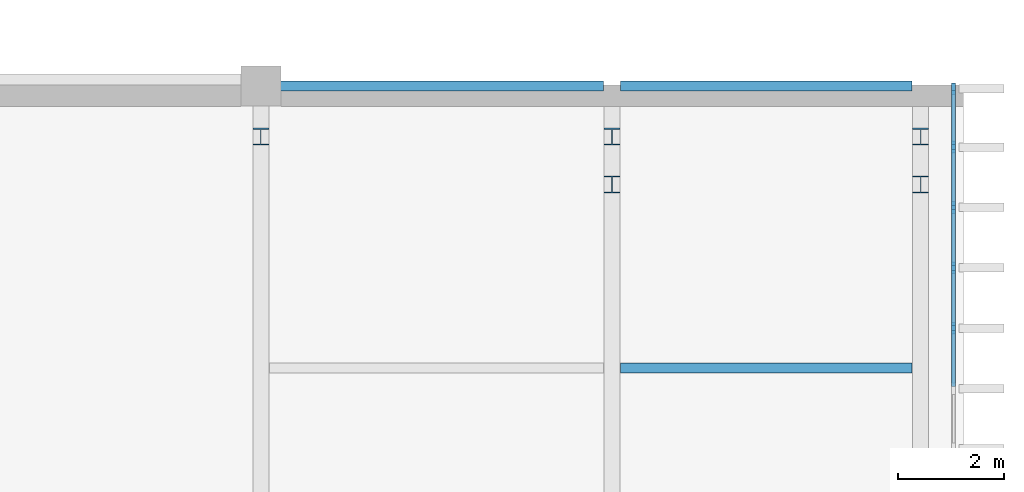
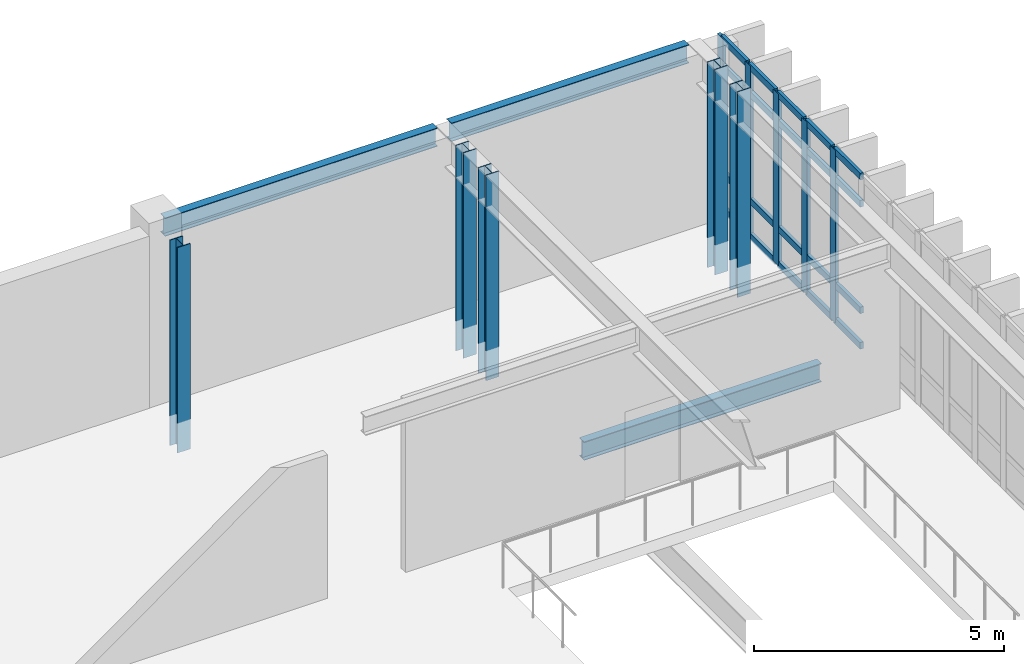
# One storey, part 8 of 23: 30 members, 3 beams, 1 element without a shape of its own.
"""IFC4 building model written with IfcOpenShell, lengths in metres."""

import ifcopenshell
import ifcopenshell.guid

model = None  # the IFC model being written
_history = None  # IfcOwnerHistory: only IFC2X3 demands one
_inside = {}  # id of a spatial element -> (the spatial element, [elements in it])
_under = {}  # id of a project, library or spatial element -> (it, [spatial elements below it])
_declared = {}  # id of a project -> (the project, [libraries it declares])
_typed = {}  # id of a type object -> (the type object, [elements of that type])
_made_of = {}  # id of a material, layer set ... -> (it, [elements and type objects made of it])


def new_model(schema):
    """Start an empty IFC model of exactly this schema.

    Asked for "IFC4X3", IfcOpenShell would pick the latest addendum, in which some entities
    have other attributes; the version numbers below select the first issue.
    IFC2X3 requires an IfcOwnerHistory on every rooted entity: one is made here for all.
    """
    global model, _history
    if schema == "IFC4X3":
        model = ifcopenshell.file(schema_version=(4, 3, 0, 0))
    else:
        model = ifcopenshell.file(schema=schema)
    _inside.clear()
    _under.clear()
    _declared.clear()
    _typed.clear()
    _made_of.clear()
    _history = None
    if model.schema == "IFC2X3":
        org = make("IfcOrganization", Name="unknown")
        user = make(
            "IfcPersonAndOrganization",
            ThePerson=make("IfcPerson", FamilyName="unknown"),
            TheOrganization=org,
        )
        app = make(
            "IfcApplication",
            ApplicationDeveloper=org,
            Version="unknown",
            ApplicationFullName="unknown",
            ApplicationIdentifier="unknown",
        )
        _history = make(
            "IfcOwnerHistory",
            OwningUser=user,
            OwningApplication=app,
            ChangeAction="ADDED",
            CreationDate=0,
        )
    return model


def make(cls, **values):
    """One entity of the class cls with the attributes given. An attribute that is None is left unset."""
    return model.create_entity(
        cls, **{name: value for name, value in values.items() if value is not None}
    )


def rooted(cls, **values):
    """An entity with a GlobalId (a new one), such as an element, a storey or a relation."""
    return make(cls, GlobalId=ifcopenshell.guid.new(), OwnerHistory=_history, **values)


def si_unit(unit_type, name, prefix=None):
    """IfcSIUnit, for example si_unit("LENGTHUNIT", "METRE", prefix="MILLI")."""
    return make("IfcSIUnit", UnitType=unit_type, Prefix=prefix, Name=name)


def assignment(units):
    """IfcUnitAssignment: the units of a project."""
    return None if units is None else make("IfcUnitAssignment", Units=units)


def point(xyz):
    """IfcCartesianPoint."""
    return None if xyz is None else make("IfcCartesianPoint", Coordinates=xyz)


def direction(xyz):
    """IfcDirection."""
    return None if xyz is None else make("IfcDirection", DirectionRatios=xyz)


def frame(location, z_axis=None, x_axis=None):
    """IfcAxis2Placement3D, a coordinate frame: its origin and axes. An axis left out is left unset."""
    return make(
        "IfcAxis2Placement3D",
        Location=point(location),
        Axis=direction(z_axis),
        RefDirection=direction(x_axis),
    )


def frame_2d(location, x_axis=None):
    """IfcAxis2Placement2D, a coordinate frame in the plane: its origin and x axis."""
    return make(
        "IfcAxis2Placement2D", Location=point(location), RefDirection=direction(x_axis)
    )


def origin():
    """The frame at (0, 0, 0) with its axes left unset."""
    return frame((0.0, 0.0, 0.0))


def origin_2d():
    """The frame at (0, 0) in the plane with its x axis left unset."""
    return frame_2d((0.0, 0.0))


def place(relative_to, where):
    """IfcLocalPlacement: puts the frame where relative to a parent placement (None: the world)."""
    return make(
        "IfcLocalPlacement", PlacementRelTo=relative_to, RelativePlacement=where
    )


def context(
    kind, dimensions, precision=None, world=None, true_north=None, identifier=None
):
    """IfcGeometricRepresentationContext, for example the 3D "Model" context."""
    return make(
        "IfcGeometricRepresentationContext",
        ContextIdentifier=identifier,
        ContextType=kind,
        CoordinateSpaceDimension=dimensions,
        Precision=precision,
        WorldCoordinateSystem=world,
        TrueNorth=true_north,
    )


def subcontext(parent, identifier, kind, view, scale=None):
    """IfcGeometricRepresentationSubContext, for example "Body" below "Model"."""
    return make(
        "IfcGeometricRepresentationSubContext",
        ContextIdentifier=identifier,
        ContextType=kind,
        ParentContext=parent,
        TargetScale=scale,
        TargetView=view,
    )


def project(units=None, contexts=None):
    """IfcProject with its units and contexts."""
    return rooted(
        "IfcProject",
        Name="project",
        RepresentationContexts=contexts,
        UnitsInContext=assignment(units),
    )


def spatial(cls, under=None, at=None, **own):
    """A site, building, storey or space (cls), placed at a placement, below another one or the project."""
    s = rooted(cls, ObjectPlacement=at, **own)
    if under is not None:
        _under.setdefault(under.id(), (under, []))[1].append(s)
    return s


def profile(cls, at=None, kind="AREA", **sizes):
    """A parametric profile (cls). Its sizes go by their IFC names, for example OverallWidth=200.0."""
    return make(cls, ProfileType=kind, Position=at, **sizes)


def rectangle(**sizes):
    """IfcRectangleProfileDef."""
    return profile("IfcRectangleProfileDef", **sizes)


def i_section(**sizes):
    """IfcIShapeProfileDef."""
    return profile("IfcIShapeProfileDef", **sizes)


def extrude(swept, where, along, depth):
    """IfcExtrudedAreaSolid: the profile swept, set in the frame where, extruded along a direction by depth."""
    return make(
        "IfcExtrudedAreaSolid",
        SweptArea=swept,
        Position=where,
        ExtrudedDirection=direction(along),
        Depth=depth,
    )


def shape(context_of_items, identifier, shape_type, items):
    """IfcShapeRepresentation: the items that make up one representation, for example the "Body"."""
    return make(
        "IfcShapeRepresentation",
        ContextOfItems=context_of_items,
        RepresentationIdentifier=identifier,
        RepresentationType=shape_type,
        Items=items,
    )


def material(Name=None, Category=None):
    """IfcMaterial."""
    return make("IfcMaterial", Name=Name, Category=Category)


def layer(
    of_material, thickness, ventilated=None, Name=None, Category=None, Priority=None
):
    """IfcMaterialLayer: one layer of a wall or slab, of a material (None: an air gap)."""
    return make(
        "IfcMaterialLayer",
        Material=of_material,
        LayerThickness=thickness,
        IsVentilated=ventilated,
        Name=Name,
        Category=Category,
        Priority=Priority,
    )


def layer_set(layers, Name=None):
    """IfcMaterialLayerSet."""
    return make("IfcMaterialLayerSet", MaterialLayers=layers, LayerSetName=Name)


def material_profile(
    of_material, cross_section, Name=None, Category=None, Priority=None
):
    """IfcMaterialProfile: a cross section and its material."""
    return make(
        "IfcMaterialProfile",
        Name=Name,
        Material=of_material,
        Profile=cross_section,
        Priority=Priority,
        Category=Category,
    )


def profile_set(profiles, Name=None, composite=None):
    """IfcMaterialProfileSet."""
    return make(
        "IfcMaterialProfileSet",
        Name=Name,
        MaterialProfiles=profiles,
        CompositeProfile=composite,
    )


def made_of(thing, what):
    """Note that an element or type object is made of a material, layer set ...; save() writes the relation."""
    if what is not None:
        _made_of.setdefault(what.id(), (what, []))[1].append(thing)
    return thing


def type_object(cls, material=None, **own):
    """A type object (cls), such as IfcWallType, which elements share."""
    return made_of(rooted(cls, **own), material)


def element(
    cls,
    number,
    at=None,
    inside=None,
    cuts=None,
    type_object=None,
    material=None,
    context=None,
    identifier="Body",
    shape_type=None,
    held_by="IfcProductDefinitionShape",
    body=None,
    shapes=None,
    **own,
):
    """One element of the class cls, such as IfcWall. Its Tag is "e" and its number.

    at: its placement. inside: the storey or other place that contains it. cuts: it is an
    opening in that element (IfcRelVoidsElement). A single representation is given by context,
    identifier, shape_type and body (its items); several are given by shapes. held_by: the class
    of the entity that holds the representations. save() writes the other relations.
    """
    e = rooted(cls, Tag="e%d" % number, ObjectPlacement=at, **own)
    if body is not None:
        shapes = [shape(context, identifier, shape_type, body)]
    if shapes is not None:
        e.Representation = make(held_by, Representations=shapes)
    if inside is not None:
        _inside.setdefault(inside.id(), (inside, []))[1].append(e)
    if cuts is not None:
        rooted(
            "IfcRelVoidsElement", RelatingBuildingElement=cuts, RelatedOpeningElement=e
        )
    if type_object is not None:
        _typed.setdefault(type_object.id(), (type_object, []))[1].append(e)
    return made_of(e, material)


def aggregate(whole, parts):
    """IfcRelAggregates: a whole, such as a stair, and the parts it consists of."""
    return rooted("IfcRelAggregates", RelatingObject=whole, RelatedObjects=parts)


def save(model, path):
    """Write the relations noted so far, then the file.

    IfcRelAggregates (storeys below a building ...), IfcRelContainedInSpatialStructure (elements
    in a storey), IfcRelDefinesByType, IfcRelAssociatesMaterial and IfcRelDeclares: one each for
    every whole, place, type object, material and project.
    """
    for whole, parts in _under.values():
        aggregate(whole, parts)
    for where, things in _inside.values():
        rooted(
            "IfcRelContainedInSpatialStructure",
            RelatedElements=things,
            RelatingStructure=where,
        )
    for kind, things in _typed.values():
        rooted("IfcRelDefinesByType", RelatedObjects=things, RelatingType=kind)
    for what, things in _made_of.values():
        rooted("IfcRelAssociatesMaterial", RelatedObjects=things, RelatingMaterial=what)
    for by, libraries in _declared.values():
        rooted("IfcRelDeclares", RelatingContext=by, RelatedDefinitions=libraries)
    model.write(path)


model = new_model("IFC4")

# Units and contexts
model_context = context("Model", 3, precision=1e-05, world=origin(), true_north=direction((0.0, 1.0)))
body_context = subcontext(model_context, "Body", "Model", "MODEL_VIEW")
ifc_project = project(units=[si_unit("LENGTHUNIT", "METRE"), si_unit("AREAUNIT", "SQUARE_METRE"), si_unit("VOLUMEUNIT", "CUBIC_METRE"), si_unit("PLANEANGLEUNIT", "RADIAN"), si_unit("MASSUNIT", "GRAM", prefix="KILO")], contexts=[model_context])

# Site, building, storey
site_placement = place(None, origin())
site = spatial("IfcSite", under=ifc_project, at=site_placement, CompositionType="ELEMENT")
building_placement = place(site_placement, origin())
building = spatial("IfcBuilding", under=site, at=building_placement, Name="Kelarvand Opera House", CompositionType="ELEMENT")
storey_placement = place(building_placement, frame((0.0, 0.0, 19.5)))
storey = spatial("IfcBuildingStorey", under=building, at=storey_placement, Name="L04", CompositionType="ELEMENT", Elevation=19.5)

# Curtain wall, members
ifc_material_1 = material(Name="Thermally broken aluminium and low-E glazing", Category="aluminium")
ifc_layer = layer(ifc_material_1, 0.219970703125, Name="Thermally broken aluminium and low-E glazing", Category="aluminium")
ifc_layer_set = layer_set([ifc_layer], Name="Thermally broken aluminium and low-E glazing")
curtain_wall_type = type_object("IfcCurtainWallType", Name="Unitised Low-E Curtain Wall 15886x4200 Mod 1150 CWF-07", PredefinedType="USERDEFINED", material=ifc_layer_set)
curtain_wall_placement = place(storey_placement, origin())
curtain_wall = element("IfcCurtainWall", 1, at=curtain_wall_placement, inside=storey, type_object=curtain_wall_type, Name="V1 L04 Curtain Wall CWF-07 (25)", ObjectType="UNITISED CURTAIN WALL", PredefinedType="USERDEFINED")
ifc_material_2 = material(Name="Thermally broken anodised aluminium", Category="aluminium")
ifc_material_profile_1 = material_profile(ifc_material_2, rectangle(XDim=0.074951171875, YDim=0.219970703125, at=origin_2d()), Name="ALU MULLION 75x220", Category="aluminium")
ifc_profile_set_1 = profile_set([ifc_material_profile_1], Name="Thermally broken anodised aluminium")
member_type_1 = type_object("IfcMemberType", Name="Curtain Wall Mullion 75x220 Heavy Plaza", PredefinedType="MULLION", material=ifc_profile_set_1)
member_1_placement = place(storey_placement, frame((154.820068359375, 78.3525390625, 0.0), z_axis=(0.0, 0.0, 1.0), x_axis=(1.0, 0.0, 0.0)))
member_1 = element("IfcMember", 2, at=member_1_placement, type_object=member_type_1, Name="CWF-07 mullion 1", PredefinedType="MULLION", context=body_context, shape_type="SweptSolid", body=[
    extrude(rectangle(XDim=0.074951171875, YDim=0.219970703125, at=origin_2d()), origin(), (0.0, 0.0, 1.0), 4.199951171875),
])
member_2_placement = place(storey_placement, frame((154.820068359375, 77.25537109375, 0.0), z_axis=(0.0, 0.0, 1.0), x_axis=(1.0, 0.0, 0.0)))
member_2 = element("IfcMember", 3, at=member_2_placement, type_object=member_type_1, Name="CWF-07 mullion 2", PredefinedType="MULLION", context=body_context, shape_type="SweptSolid", body=[
    extrude(rectangle(XDim=0.074951171875, YDim=0.219970703125, at=origin_2d()), origin(), (0.0, 0.0, 1.0), 4.199951171875),
])
member_3_placement = place(storey_placement, frame((154.820068359375, 76.12060546875, 0.0), z_axis=(0.0, 0.0, 1.0), x_axis=(1.0, 0.0, 0.0)))
member_3 = element("IfcMember", 4, at=member_3_placement, type_object=member_type_1, Name="CWF-07 mullion 3", PredefinedType="MULLION", context=body_context, shape_type="SweptSolid", body=[
    extrude(rectangle(XDim=0.074951171875, YDim=0.219970703125, at=origin_2d()), origin(), (0.0, 0.0, 1.0), 4.199951171875),
])
member_4_placement = place(storey_placement, frame((154.820068359375, 74.98583984375, 0.0), z_axis=(0.0, 0.0, 1.0), x_axis=(1.0, 0.0, 0.0)))
member_4 = element("IfcMember", 5, at=member_4_placement, type_object=member_type_1, Name="CWF-07 mullion 4", PredefinedType="MULLION", context=body_context, shape_type="SweptSolid", body=[
    extrude(rectangle(XDim=0.074951171875, YDim=0.219970703125, at=origin_2d()), origin(), (0.0, 0.0, 1.0), 4.199951171875),
])
member_5_placement = place(storey_placement, frame((154.820068359375, 73.85107421875, 0.0), z_axis=(0.0, 0.0, 1.0), x_axis=(1.0, 0.0, 0.0)))
member_5 = element("IfcMember", 6, at=member_5_placement, type_object=member_type_1, Name="CWF-07 mullion 5", PredefinedType="MULLION", context=body_context, shape_type="SweptSolid", body=[
    extrude(rectangle(XDim=0.074951171875, YDim=0.219970703125, at=origin_2d()), origin(), (0.0, 0.0, 1.0), 4.199951171875),
])
ifc_material_profile_2 = material_profile(ifc_material_2, rectangle(XDim=0.074951171875, YDim=0.159912109375, at=origin_2d()), Name="ALU TRANSOM 75x160", Category="aluminium")
ifc_profile_set_2 = profile_set([ifc_material_profile_2], Name="Thermally broken anodised aluminium")
member_type_2 = type_object("IfcMemberType", Name="Curtain Wall Transom 75x160 Heavy Plaza", PredefinedType="USERDEFINED", material=ifc_profile_set_2)
member_6_placement = place(storey_placement, frame((154.820068359375, 78.31494140625, 0.03759765625), z_axis=(0.0, -1.0, 0.0), x_axis=(1.0, 0.0, 0.0)))
member_6 = element("IfcMember", 7, at=member_6_placement, type_object=member_type_2, Name="CWF-07 transom 1.1", ObjectType="TRANSOM", PredefinedType="USERDEFINED", context=body_context, shape_type="SweptSolid", body=[
    extrude(rectangle(XDim=0.074951171875, YDim=0.159912109375, at=origin_2d()), origin(), (0.0, 0.0, 1.0), 1.022216796875),
])
member_7_placement = place(storey_placement, frame((154.820068359375, 78.31494140625, 0.89990234375), z_axis=(0.0, -1.0, 0.0), x_axis=(1.0, 0.0, 0.0)))
member_7 = element("IfcMember", 8, at=member_7_placement, type_object=member_type_2, Name="CWF-07 transom 1.2", ObjectType="TRANSOM", PredefinedType="USERDEFINED", context=body_context, shape_type="SweptSolid", body=[
    extrude(rectangle(XDim=0.074951171875, YDim=0.159912109375, at=origin_2d()), origin(), (0.0, 0.0, 1.0), 1.022216796875),
])
member_8_placement = place(storey_placement, frame((154.820068359375, 78.31494140625, 3.5), z_axis=(0.0, -1.0, 0.0), x_axis=(1.0, 0.0, 0.0)))
member_8 = element("IfcMember", 9, at=member_8_placement, type_object=member_type_2, Name="CWF-07 transom 1.3", ObjectType="TRANSOM", PredefinedType="USERDEFINED", context=body_context, shape_type="SweptSolid", body=[
    extrude(rectangle(XDim=0.074951171875, YDim=0.159912109375, at=origin_2d()), origin(), (0.0, 0.0, 1.0), 1.022216796875),
])
member_9_placement = place(storey_placement, frame((154.820068359375, 78.31494140625, 4.16259765625), z_axis=(0.0, -1.0, 0.0), x_axis=(1.0, 0.0, 0.0)))
member_9 = element("IfcMember", 10, at=member_9_placement, type_object=member_type_2, Name="CWF-07 transom 1.4", ObjectType="TRANSOM", PredefinedType="USERDEFINED", context=body_context, shape_type="SweptSolid", body=[
    extrude(rectangle(XDim=0.074951171875, YDim=0.159912109375, at=origin_2d()), origin(), (0.0, 0.0, 1.0), 1.022216796875),
])
member_10_placement = place(storey_placement, frame((154.820068359375, 77.2177734375, 0.03759765625), z_axis=(0.0, -1.0, 0.0), x_axis=(1.0, 0.0, 0.0)))
member_10 = element("IfcMember", 11, at=member_10_placement, type_object=member_type_2, Name="CWF-07 transom 2.1", ObjectType="TRANSOM", PredefinedType="USERDEFINED", context=body_context, shape_type="SweptSolid", body=[
    extrude(rectangle(XDim=0.074951171875, YDim=0.159912109375, at=origin_2d()), origin(), (0.0, 0.0, 1.0), 1.059814453125),
])
member_11_placement = place(storey_placement, frame((154.820068359375, 77.2177734375, 0.89990234375), z_axis=(0.0, -1.0, 0.0), x_axis=(1.0, 0.0, 0.0)))
member_11 = element("IfcMember", 12, at=member_11_placement, type_object=member_type_2, Name="CWF-07 transom 2.2", ObjectType="TRANSOM", PredefinedType="USERDEFINED", context=body_context, shape_type="SweptSolid", body=[
    extrude(rectangle(XDim=0.074951171875, YDim=0.159912109375, at=origin_2d()), origin(), (0.0, 0.0, 1.0), 1.059814453125),
])
member_12_placement = place(storey_placement, frame((154.820068359375, 77.2177734375, 3.5), z_axis=(0.0, -1.0, 0.0), x_axis=(1.0, 0.0, 0.0)))
member_12 = element("IfcMember", 13, at=member_12_placement, type_object=member_type_2, Name="CWF-07 transom 2.3", ObjectType="TRANSOM", PredefinedType="USERDEFINED", context=body_context, shape_type="SweptSolid", body=[
    extrude(rectangle(XDim=0.074951171875, YDim=0.159912109375, at=origin_2d()), origin(), (0.0, 0.0, 1.0), 1.059814453125),
])
member_13_placement = place(storey_placement, frame((154.820068359375, 77.2177734375, 4.16259765625), z_axis=(0.0, -1.0, 0.0), x_axis=(1.0, 0.0, 0.0)))
member_13 = element("IfcMember", 14, at=member_13_placement, type_object=member_type_2, Name="CWF-07 transom 2.4", ObjectType="TRANSOM", PredefinedType="USERDEFINED", context=body_context, shape_type="SweptSolid", body=[
    extrude(rectangle(XDim=0.074951171875, YDim=0.159912109375, at=origin_2d()), origin(), (0.0, 0.0, 1.0), 1.059814453125),
])
member_14_placement = place(storey_placement, frame((154.820068359375, 76.0830078125, 0.03759765625), z_axis=(0.0, -1.0, 0.0), x_axis=(1.0, 0.0, 0.0)))
member_14 = element("IfcMember", 15, at=member_14_placement, type_object=member_type_2, Name="CWF-07 transom 3.1", ObjectType="TRANSOM", PredefinedType="USERDEFINED", context=body_context, shape_type="SweptSolid", body=[
    extrude(rectangle(XDim=0.074951171875, YDim=0.159912109375, at=origin_2d()), origin(), (0.0, 0.0, 1.0), 1.0595703125),
])
member_15_placement = place(storey_placement, frame((154.820068359375, 76.0830078125, 0.89990234375), z_axis=(0.0, -1.0, 0.0), x_axis=(1.0, 0.0, 0.0)))
member_15 = element("IfcMember", 16, at=member_15_placement, type_object=member_type_2, Name="CWF-07 transom 3.2", ObjectType="TRANSOM", PredefinedType="USERDEFINED", context=body_context, shape_type="SweptSolid", body=[
    extrude(rectangle(XDim=0.074951171875, YDim=0.159912109375, at=origin_2d()), origin(), (0.0, 0.0, 1.0), 1.0595703125),
])
member_16_placement = place(storey_placement, frame((154.820068359375, 76.0830078125, 3.5), z_axis=(0.0, -1.0, 0.0), x_axis=(1.0, 0.0, 0.0)))
member_16 = element("IfcMember", 17, at=member_16_placement, type_object=member_type_2, Name="CWF-07 transom 3.3", ObjectType="TRANSOM", PredefinedType="USERDEFINED", context=body_context, shape_type="SweptSolid", body=[
    extrude(rectangle(XDim=0.074951171875, YDim=0.159912109375, at=origin_2d()), origin(), (0.0, 0.0, 1.0), 1.0595703125),
])
member_17_placement = place(storey_placement, frame((154.820068359375, 76.0830078125, 4.16259765625), z_axis=(0.0, -1.0, 0.0), x_axis=(1.0, 0.0, 0.0)))
member_17 = element("IfcMember", 18, at=member_17_placement, type_object=member_type_2, Name="CWF-07 transom 3.4", ObjectType="TRANSOM", PredefinedType="USERDEFINED", context=body_context, shape_type="SweptSolid", body=[
    extrude(rectangle(XDim=0.074951171875, YDim=0.159912109375, at=origin_2d()), origin(), (0.0, 0.0, 1.0), 1.0595703125),
])
member_18_placement = place(storey_placement, frame((154.820068359375, 74.9482421875, 0.03759765625), z_axis=(0.0, -1.0, 0.0), x_axis=(1.0, 0.0, 0.0)))
member_18 = element("IfcMember", 19, at=member_18_placement, type_object=member_type_2, Name="CWF-07 transom 4.1", ObjectType="TRANSOM", PredefinedType="USERDEFINED", context=body_context, shape_type="SweptSolid", body=[
    extrude(rectangle(XDim=0.074951171875, YDim=0.159912109375, at=origin_2d()), origin(), (0.0, 0.0, 1.0), 1.0595703125),
])
member_19_placement = place(storey_placement, frame((154.820068359375, 74.9482421875, 0.89990234375), z_axis=(0.0, -1.0, 0.0), x_axis=(1.0, 0.0, 0.0)))
member_19 = element("IfcMember", 20, at=member_19_placement, type_object=member_type_2, Name="CWF-07 transom 4.2", ObjectType="TRANSOM", PredefinedType="USERDEFINED", context=body_context, shape_type="SweptSolid", body=[
    extrude(rectangle(XDim=0.074951171875, YDim=0.159912109375, at=origin_2d()), origin(), (0.0, 0.0, 1.0), 1.0595703125),
])
member_20_placement = place(storey_placement, frame((154.820068359375, 74.9482421875, 3.5), z_axis=(0.0, -1.0, 0.0), x_axis=(1.0, 0.0, 0.0)))
member_20 = element("IfcMember", 21, at=member_20_placement, type_object=member_type_2, Name="CWF-07 transom 4.3", ObjectType="TRANSOM", PredefinedType="USERDEFINED", context=body_context, shape_type="SweptSolid", body=[
    extrude(rectangle(XDim=0.074951171875, YDim=0.159912109375, at=origin_2d()), origin(), (0.0, 0.0, 1.0), 1.0595703125),
])
member_21_placement = place(storey_placement, frame((154.820068359375, 74.9482421875, 4.16259765625), z_axis=(0.0, -1.0, 0.0), x_axis=(1.0, 0.0, 0.0)))
member_21 = element("IfcMember", 22, at=member_21_placement, type_object=member_type_2, Name="CWF-07 transom 4.4", ObjectType="TRANSOM", PredefinedType="USERDEFINED", context=body_context, shape_type="SweptSolid", body=[
    extrude(rectangle(XDim=0.074951171875, YDim=0.159912109375, at=origin_2d()), origin(), (0.0, 0.0, 1.0), 1.0595703125),
])
member_22_placement = place(storey_placement, frame((154.820068359375, 73.813720703125, 0.03759765625), z_axis=(0.0, -1.0, 0.0), x_axis=(1.0, 0.0, 0.0)))
member_22 = element("IfcMember", 23, at=member_22_placement, type_object=member_type_2, Name="CWF-07 transom 5.1", ObjectType="TRANSOM", PredefinedType="USERDEFINED", context=body_context, shape_type="SweptSolid", body=[
    extrude(rectangle(XDim=0.074951171875, YDim=0.159912109375, at=origin_2d()), origin(), (0.0, 0.0, 1.0), 1.059814453125),
])
member_23_placement = place(storey_placement, frame((154.820068359375, 73.813720703125, 0.89990234375), z_axis=(0.0, -1.0, 0.0), x_axis=(1.0, 0.0, 0.0)))
member_23 = element("IfcMember", 24, at=member_23_placement, type_object=member_type_2, Name="CWF-07 transom 5.2", ObjectType="TRANSOM", PredefinedType="USERDEFINED", context=body_context, shape_type="SweptSolid", body=[
    extrude(rectangle(XDim=0.074951171875, YDim=0.159912109375, at=origin_2d()), origin(), (0.0, 0.0, 1.0), 1.059814453125),
])
member_24_placement = place(storey_placement, frame((154.820068359375, 73.813720703125, 3.5), z_axis=(0.0, -1.0, 0.0), x_axis=(1.0, 0.0, 0.0)))
member_24 = element("IfcMember", 25, at=member_24_placement, type_object=member_type_2, Name="CWF-07 transom 5.3", ObjectType="TRANSOM", PredefinedType="USERDEFINED", context=body_context, shape_type="SweptSolid", body=[
    extrude(rectangle(XDim=0.074951171875, YDim=0.159912109375, at=origin_2d()), origin(), (0.0, 0.0, 1.0), 1.059814453125),
])
member_25_placement = place(storey_placement, frame((154.820068359375, 73.813720703125, 4.16259765625), z_axis=(0.0, -1.0, 0.0), x_axis=(1.0, 0.0, 0.0)))
member_25 = element("IfcMember", 26, at=member_25_placement, type_object=member_type_2, Name="CWF-07 transom 5.4", ObjectType="TRANSOM", PredefinedType="USERDEFINED", context=body_context, shape_type="SweptSolid", body=[
    extrude(rectangle(XDim=0.074951171875, YDim=0.159912109375, at=origin_2d()), origin(), (0.0, 0.0, 1.0), 1.059814453125),
])
aggregate(curtain_wall, [member_1, member_2, member_3, member_4, member_5, member_6, member_7, member_8, member_9, member_10, member_11, member_12, member_13, member_14, member_15, member_16, member_17, member_18, member_19, member_20, member_21, member_22, member_23, member_24, member_25])

# Beams
ifc_material_3 = material(Name="Steel S355", Category="steel")
ifc_material_profile_3 = material_profile(ifc_material_3, i_section(OverallWidth=0.18994140625, OverallDepth=0.449951171875, WebThickness=0.009521484375, FlangeThickness=0.0146484375, at=origin_2d()), Name="IPE 450", Category="steel")
ifc_profile_set_3 = profile_set([ifc_material_profile_3], Name="Steel S355")
beam_type = type_object("IfcBeamType", Name="Structural Joist IPE 450 JS-IPE450", PredefinedType="JOIST", material=ifc_profile_set_3)
beam_1_placement = place(storey_placement, frame((148.56005859375, 73.10009765625, -0.5048828125), z_axis=(1.0, 0.0, 0.0), x_axis=(0.0, 1.0, 0.0)))
element("IfcBeam", 27, at=beam_1_placement, inside=storey, type_object=beam_type, Name="V1 L04 Beam JS-IPE450", PredefinedType="JOIST", context=body_context, shape_type="SweptSolid", body=[
    extrude(i_section(OverallWidth=0.18994140625, OverallDepth=0.449951171875, WebThickness=0.009521484375, FlangeThickness=0.0146484375, at=origin_2d()), origin(), (0.0, 0.0, 1.0), 5.47998046875),
])
beam_2_placement = place(storey_placement, frame((141.9599609375, 78.39990234375, 4.054931640625), z_axis=(1.0, 0.0, 0.0), x_axis=(0.0, 1.0, 0.0)))
element("IfcBeam", 28, at=beam_2_placement, inside=storey, type_object=beam_type, Name="V1 L04 Beam JS-IPE450", PredefinedType="JOIST", context=body_context, shape_type="SweptSolid", body=[
    extrude(i_section(OverallWidth=0.18994140625, OverallDepth=0.449951171875, WebThickness=0.009521484375, FlangeThickness=0.0146484375, at=origin_2d()), origin(), (0.0, 0.0, 1.0), 6.280029296875),
])
beam_3_placement = place(storey_placement, frame((148.56005859375, 78.39990234375, 4.054931640625), z_axis=(1.0, 0.0, 0.0), x_axis=(0.0, 1.0, 0.0)))
element("IfcBeam", 29, at=beam_3_placement, inside=storey, type_object=beam_type, Name="V1 L04 Beam JS-IPE450", PredefinedType="JOIST", context=body_context, shape_type="SweptSolid", body=[
    extrude(i_section(OverallWidth=0.18994140625, OverallDepth=0.449951171875, WebThickness=0.009521484375, FlangeThickness=0.0146484375, at=origin_2d()), origin(), (0.0, 0.0, 1.0), 5.47998046875),
])

# Members
ifc_material_profile_4 = material_profile(ifc_material_3, i_section(OverallWidth=0.300048828125, OverallDepth=0.320068359375, WebThickness=0.011474609375, FlangeThickness=0.0205078125, at=origin_2d()), Name="HEB 320", Category="steel")
ifc_profile_set_4 = profile_set([ifc_material_profile_4], Name="Steel S355")
member_type_3 = type_object("IfcMemberType", Name="Structural Post HEB 320 PS-HEB320", PredefinedType="POST", material=ifc_profile_set_4)
for number, where, z_axis, x_axis, name in (
    (30, (141.800048828125, 77.449951171875, -0.72998046875), (0.0, 0.0, 1.0), (1.0, 0.0, 0.0), "Cantilever Box Roof Support Post X=141.8 Y=77.45"),
    (31, (148.39990234375, 76.550048828125, -0.72998046875), (0.0, 0.0, 1.0), (1.0, 0.0, 0.0), "Cantilever Box Roof Support Post X=148.4 Y=76.55"),
    (32, (148.39990234375, 77.449951171875, -0.72998046875), (0.0, 0.0, 1.0), (1.0, 0.0, 0.0), "Cantilever Box Roof Support Post X=148.4 Y=77.45"),
    (33, (154.199951171875, 76.550048828125, -0.72998046875), (0.0, 0.0, 1.0), (1.0, 0.0, 0.0), "Cantilever Box Roof Support Post X=154.2 Y=76.55"),
    (34, (154.199951171875, 77.449951171875, -0.72998046875), (0.0, 0.0, 1.0), (1.0, 0.0, 0.0), "Cantilever Box Roof Support Post X=154.2 Y=77.45"),
):
    element("IfcMember", number, at=place(storey_placement, frame(where, z_axis=z_axis, x_axis=x_axis)), inside=storey, type_object=member_type_3, Name=name, PredefinedType="POST", context=body_context, shape_type="SweptSolid", body=[
        extrude(i_section(OverallWidth=0.300048828125, OverallDepth=0.320068359375, WebThickness=0.011474609375, FlangeThickness=0.0205078125, at=origin_2d()), origin(), (0.0, 0.0, 1.0), 5.010009765625),
    ])

save(model, "model.ifc")
